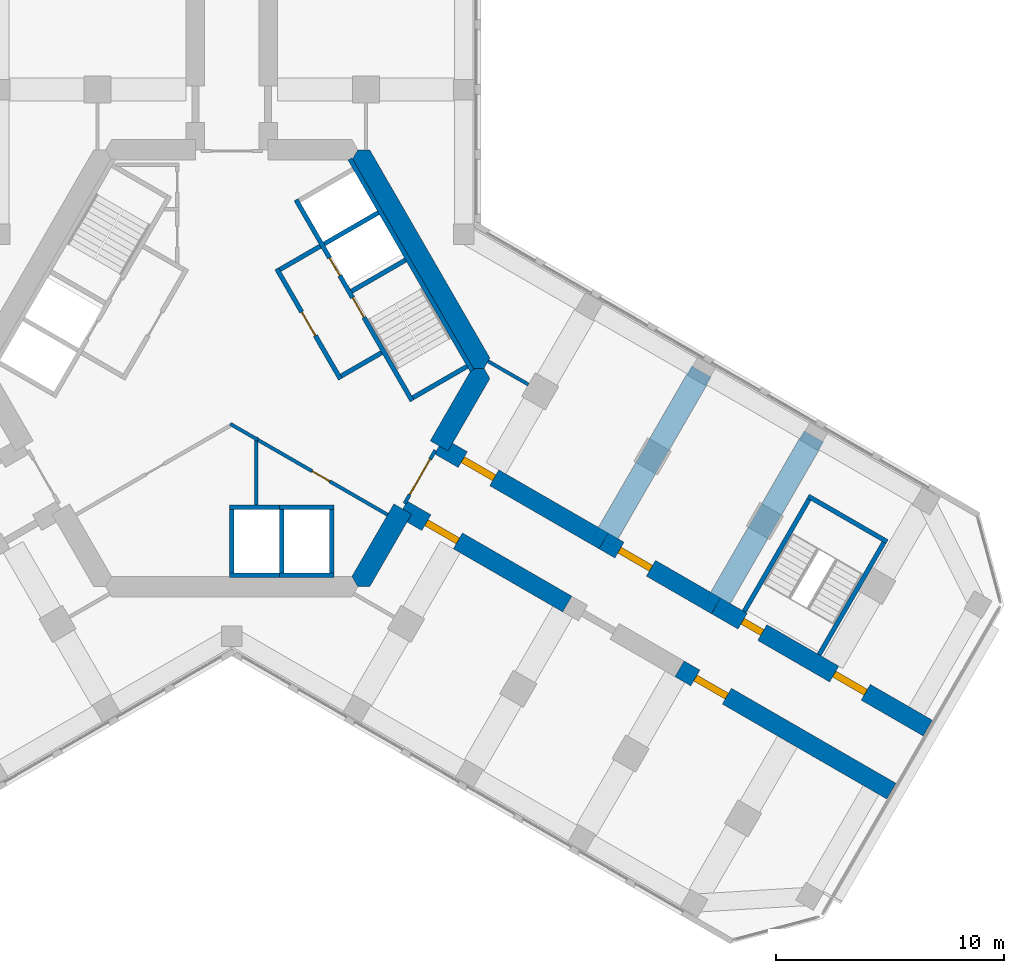
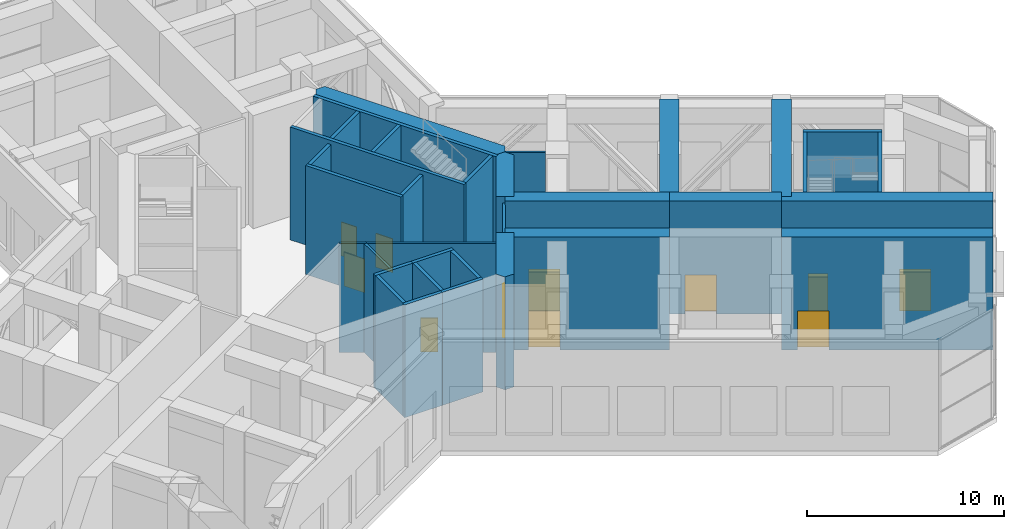
# One storey, part 12 of 15: 33 walls, 11 doors, 11 openings.
"""IFC4 building model written with IfcOpenShell, lengths in metres."""

import ifcopenshell
import ifcopenshell.guid

model = None  # the IFC model being written
_history = None  # IfcOwnerHistory: only IFC2X3 demands one
_inside = {}  # id of a spatial element -> (the spatial element, [elements in it])
_under = {}  # id of a project, library or spatial element -> (it, [spatial elements below it])
_declared = {}  # id of a project -> (the project, [libraries it declares])
_typed = {}  # id of a type object -> (the type object, [elements of that type])
_made_of = {}  # id of a material, layer set ... -> (it, [elements and type objects made of it])


def new_model(schema):
    """Start an empty IFC model of exactly this schema.

    Asked for "IFC4X3", IfcOpenShell would pick the latest addendum, in which some entities
    have other attributes; the version numbers below select the first issue.
    IFC2X3 requires an IfcOwnerHistory on every rooted entity: one is made here for all.
    """
    global model, _history
    if schema == "IFC4X3":
        model = ifcopenshell.file(schema_version=(4, 3, 0, 0))
    else:
        model = ifcopenshell.file(schema=schema)
    _inside.clear()
    _under.clear()
    _declared.clear()
    _typed.clear()
    _made_of.clear()
    _history = None
    if model.schema == "IFC2X3":
        org = make("IfcOrganization", Name="unknown")
        user = make(
            "IfcPersonAndOrganization",
            ThePerson=make("IfcPerson", FamilyName="unknown"),
            TheOrganization=org,
        )
        app = make(
            "IfcApplication",
            ApplicationDeveloper=org,
            Version="unknown",
            ApplicationFullName="unknown",
            ApplicationIdentifier="unknown",
        )
        _history = make(
            "IfcOwnerHistory",
            OwningUser=user,
            OwningApplication=app,
            ChangeAction="ADDED",
            CreationDate=0,
        )
    return model


def make(cls, **values):
    """One entity of the class cls with the attributes given. An attribute that is None is left unset."""
    return model.create_entity(
        cls, **{name: value for name, value in values.items() if value is not None}
    )


def rooted(cls, **values):
    """An entity with a GlobalId (a new one), such as an element, a storey or a relation."""
    return make(cls, GlobalId=ifcopenshell.guid.new(), OwnerHistory=_history, **values)


def si_unit(unit_type, name, prefix=None):
    """IfcSIUnit, for example si_unit("LENGTHUNIT", "METRE", prefix="MILLI")."""
    return make("IfcSIUnit", UnitType=unit_type, Prefix=prefix, Name=name)


def assignment(units):
    """IfcUnitAssignment: the units of a project."""
    return None if units is None else make("IfcUnitAssignment", Units=units)


def point(xyz):
    """IfcCartesianPoint."""
    return None if xyz is None else make("IfcCartesianPoint", Coordinates=xyz)


def direction(xyz):
    """IfcDirection."""
    return None if xyz is None else make("IfcDirection", DirectionRatios=xyz)


def frame(location, z_axis=None, x_axis=None):
    """IfcAxis2Placement3D, a coordinate frame: its origin and axes. An axis left out is left unset."""
    return make(
        "IfcAxis2Placement3D",
        Location=point(location),
        Axis=direction(z_axis),
        RefDirection=direction(x_axis),
    )


def frame_2d(location, x_axis=None):
    """IfcAxis2Placement2D, a coordinate frame in the plane: its origin and x axis."""
    return make(
        "IfcAxis2Placement2D", Location=point(location), RefDirection=direction(x_axis)
    )


def origin():
    """The frame at (0, 0, 0) with its axes left unset."""
    return frame((0.0, 0.0, 0.0))


def place(relative_to, where):
    """IfcLocalPlacement: puts the frame where relative to a parent placement (None: the world)."""
    return make(
        "IfcLocalPlacement", PlacementRelTo=relative_to, RelativePlacement=where
    )


def context(
    kind, dimensions, precision=None, world=None, true_north=None, identifier=None
):
    """IfcGeometricRepresentationContext, for example the 3D "Model" context."""
    return make(
        "IfcGeometricRepresentationContext",
        ContextIdentifier=identifier,
        ContextType=kind,
        CoordinateSpaceDimension=dimensions,
        Precision=precision,
        WorldCoordinateSystem=world,
        TrueNorth=true_north,
    )


def subcontext(parent, identifier, kind, view, scale=None):
    """IfcGeometricRepresentationSubContext, for example "Body" below "Model"."""
    return make(
        "IfcGeometricRepresentationSubContext",
        ContextIdentifier=identifier,
        ContextType=kind,
        ParentContext=parent,
        TargetScale=scale,
        TargetView=view,
    )


def project(units=None, contexts=None):
    """IfcProject with its units and contexts."""
    return rooted(
        "IfcProject",
        Name="project",
        RepresentationContexts=contexts,
        UnitsInContext=assignment(units),
    )


def spatial(cls, under=None, at=None, **own):
    """A site, building, storey or space (cls), placed at a placement, below another one or the project."""
    s = rooted(cls, ObjectPlacement=at, **own)
    if under is not None:
        _under.setdefault(under.id(), (under, []))[1].append(s)
    return s


def polyline(points):
    """IfcPolyline through the points."""
    return make("IfcPolyline", Points=[point(p) for p in points])


def profile(cls, at=None, kind="AREA", **sizes):
    """A parametric profile (cls). Its sizes go by their IFC names, for example OverallWidth=200.0."""
    return make(cls, ProfileType=kind, Position=at, **sizes)


def rectangle(**sizes):
    """IfcRectangleProfileDef."""
    return profile("IfcRectangleProfileDef", **sizes)


def outline(outer, holes=None, kind="AREA"):
    """IfcArbitraryClosedProfileDef: a profile drawn as a closed curve; with holes, ...WithVoids."""
    if holes is None:
        return make("IfcArbitraryClosedProfileDef", ProfileType=kind, OuterCurve=outer)
    return make(
        "IfcArbitraryProfileDefWithVoids",
        ProfileType=kind,
        OuterCurve=outer,
        InnerCurves=holes,
    )


def extrude(swept, where, along, depth):
    """IfcExtrudedAreaSolid: the profile swept, set in the frame where, extruded along a direction by depth."""
    return make(
        "IfcExtrudedAreaSolid",
        SweptArea=swept,
        Position=where,
        ExtrudedDirection=direction(along),
        Depth=depth,
    )


def shape(context_of_items, identifier, shape_type, items):
    """IfcShapeRepresentation: the items that make up one representation, for example the "Body"."""
    return make(
        "IfcShapeRepresentation",
        ContextOfItems=context_of_items,
        RepresentationIdentifier=identifier,
        RepresentationType=shape_type,
        Items=items,
    )


def material(Name=None, Category=None):
    """IfcMaterial."""
    return make("IfcMaterial", Name=Name, Category=Category)


def layer(
    of_material, thickness, ventilated=None, Name=None, Category=None, Priority=None
):
    """IfcMaterialLayer: one layer of a wall or slab, of a material (None: an air gap)."""
    return make(
        "IfcMaterialLayer",
        Material=of_material,
        LayerThickness=thickness,
        IsVentilated=ventilated,
        Name=Name,
        Category=Category,
        Priority=Priority,
    )


def layer_set(layers, Name=None):
    """IfcMaterialLayerSet."""
    return make("IfcMaterialLayerSet", MaterialLayers=layers, LayerSetName=Name)


def made_of(thing, what):
    """Note that an element or type object is made of a material, layer set ...; save() writes the relation."""
    if what is not None:
        _made_of.setdefault(what.id(), (what, []))[1].append(thing)
    return thing


def type_object(cls, material=None, **own):
    """A type object (cls), such as IfcWallType, which elements share."""
    return made_of(rooted(cls, **own), material)


def element(
    cls,
    number,
    at=None,
    inside=None,
    cuts=None,
    type_object=None,
    material=None,
    context=None,
    identifier="Body",
    shape_type=None,
    held_by="IfcProductDefinitionShape",
    body=None,
    shapes=None,
    **own,
):
    """One element of the class cls, such as IfcWall. Its Tag is "e" and its number.

    at: its placement. inside: the storey or other place that contains it. cuts: it is an
    opening in that element (IfcRelVoidsElement). A single representation is given by context,
    identifier, shape_type and body (its items); several are given by shapes. held_by: the class
    of the entity that holds the representations. save() writes the other relations.
    """
    e = rooted(cls, Tag="e%d" % number, ObjectPlacement=at, **own)
    if body is not None:
        shapes = [shape(context, identifier, shape_type, body)]
    if shapes is not None:
        e.Representation = make(held_by, Representations=shapes)
    if inside is not None:
        _inside.setdefault(inside.id(), (inside, []))[1].append(e)
    if cuts is not None:
        rooted(
            "IfcRelVoidsElement", RelatingBuildingElement=cuts, RelatedOpeningElement=e
        )
    if type_object is not None:
        _typed.setdefault(type_object.id(), (type_object, []))[1].append(e)
    return made_of(e, material)


def fill(opening, filler):
    """IfcRelFillsElement: the door or window that sits in an opening."""
    return rooted(
        "IfcRelFillsElement",
        RelatingOpeningElement=opening,
        RelatedBuildingElement=filler,
    )


def aggregate(whole, parts):
    """IfcRelAggregates: a whole, such as a stair, and the parts it consists of."""
    return rooted("IfcRelAggregates", RelatingObject=whole, RelatedObjects=parts)


def save(model, path):
    """Write the relations noted so far, then the file.

    IfcRelAggregates (storeys below a building ...), IfcRelContainedInSpatialStructure (elements
    in a storey), IfcRelDefinesByType, IfcRelAssociatesMaterial and IfcRelDeclares: one each for
    every whole, place, type object, material and project.
    """
    for whole, parts in _under.values():
        aggregate(whole, parts)
    for where, things in _inside.values():
        rooted(
            "IfcRelContainedInSpatialStructure",
            RelatedElements=things,
            RelatingStructure=where,
        )
    for kind, things in _typed.values():
        rooted("IfcRelDefinesByType", RelatedObjects=things, RelatingType=kind)
    for what, things in _made_of.values():
        rooted("IfcRelAssociatesMaterial", RelatedObjects=things, RelatingMaterial=what)
    for by, libraries in _declared.values():
        rooted("IfcRelDeclares", RelatingContext=by, RelatedDefinitions=libraries)
    model.write(path)


model = new_model("IFC4")

# Units and contexts
model_context = context("Model", 3, precision=1e-05, world=origin(), true_north=direction((0.0, 1.0)))
body_context = subcontext(model_context, "Body", "Model", "MODEL_VIEW")
ifc_project = project(units=[si_unit("LENGTHUNIT", "METRE"), si_unit("AREAUNIT", "SQUARE_METRE"), si_unit("VOLUMEUNIT", "CUBIC_METRE"), si_unit("PLANEANGLEUNIT", "RADIAN"), si_unit("MASSUNIT", "GRAM", prefix="KILO")], contexts=[model_context])

# Site, building, storey
site_placement = place(None, origin())
site = spatial("IfcSite", under=ifc_project, at=site_placement, CompositionType="ELEMENT")
building_placement = place(site_placement, origin())
building = spatial("IfcBuilding", under=site, at=building_placement, Name="Kosmar Iwan School Tower", CompositionType="ELEMENT")
storey_placement = place(building_placement, frame((0.0, 0.0, 186.800048828125)))
storey = spatial("IfcBuildingStorey", under=building, at=storey_placement, Name="L47", CompositionType="ELEMENT", Elevation=186.800048828125)

# Wall
ifc_material_1 = material(Name="Gypsum board on steel studs, fire-rated", Category="steel")
ifc_layer_1 = layer(ifc_material_1, 0.14990234375)
ifc_layer_set_1 = layer_set([ifc_layer_1], Name="Core room partition 150")
wall_type_1 = type_object("IfcWallType", Name="Core room partition 150", PredefinedType="PARTITIONING", material=ifc_layer_set_1)
wall_1_placement = place(storey_placement, frame((1.08056640625, -6.0048828125, 0.0), z_axis=(0.0, 0.0, 1.0), x_axis=(0.0, 1.0, 0.0)))
element("IfcWall", 1, at=wall_1_placement, inside=storey, type_object=wall_type_1, Name="Core room partition L47-CW5", PredefinedType="PARTITIONING", context=body_context, shape_type="SweptSolid", body=[
    extrude(rectangle(XDim=2.973388671875, YDim=0.14990234375, at=frame_2d((1.48681640625, 0.0))), origin(), (0.0, 0.0, 1.0), 6.75),
])

# Wall, opening, door
wall_2_placement = place(storey_placement, frame((1.015625, -3.069091796875, 0.0), z_axis=(0.0, 0.0, 1.0), x_axis=(0.86603480754, -0.499983711864, 0.0)))
wall_2 = element("IfcWall", 2, at=wall_2_placement, inside=storey, type_object=wall_type_1, Name="Core room partition L47-CW6", PredefinedType="PARTITIONING", context=body_context, shape_type="SweptSolid", body=[
    extrude(rectangle(XDim=6.740966796875, YDim=0.14990234375, at=frame_2d((3.37060546875, 0.0))), origin(), (0.0, 0.0, 1.0), 6.75),
])
opening_1_placement = place(wall_2_placement, frame((2.89990234375, 0.0, 0.0)))
opening_1 = element("IfcOpeningElement", 3, at=opening_1_placement, cuts=wall_2, Name="Opening D14", PredefinedType="OPENING", context=body_context, shape_type="SweptSolid", body=[
    extrude(rectangle(XDim=0.89990234375, YDim=2.10009765625, at=frame_2d((0.449951171875, 1.050048828125))), frame((0.0, 0.0869140625, 0.0), z_axis=(0.0, -1.0, 0.0), x_axis=(1.0, 0.0, 0.0)), (0.0, 0.0, 1.0), 0.173828125),
])
ifc_material_2 = material(Name="Timber fire door in steel frame", Category="steel")
door_type_1 = type_object("IfcDoorType", Name="Core room door 900x2100", OperationType="SINGLE_SWING_LEFT", PredefinedType="DOOR", material=ifc_material_2)
door_1_placement = place(opening_1_placement, origin())
door_1 = element("IfcDoor", 4, at=door_1_placement, inside=storey, type_object=door_type_1, Name="Plant control room door L47 3", OperationType="SINGLE_SWING_LEFT", OverallHeight=2.10009765625, OverallWidth=0.89990234375, PredefinedType="DOOR", context=body_context, shape_type="SweptSolid", body=[
    extrude(rectangle(XDim=0.89990234375, YDim=2.10009765625, at=frame_2d((0.449951171875, 1.050048828125))), frame((0.0, 0.02490234375, 0.0), z_axis=(0.0, -1.0, 0.0), x_axis=(1.0, 0.0, 0.0)), (0.0, 0.0, 1.0), 0.050048828125),
])
fill(opening_1, door_1)

# Walls
wall_3_placement = place(storey_placement, frame((-0.06494140625, -2.445068359375, 0.0), z_axis=(0.0, 0.0, 1.0), x_axis=(0.865987784571, -0.500065152728, 0.0)))
element("IfcWall", 5, at=wall_3_placement, inside=storey, type_object=wall_type_1, Name="Core room partition L47-CW8", PredefinedType="PARTITIONING", context=body_context, shape_type="SweptSolid", body=[
    extrude(rectangle(XDim=1.397705078125, YDim=0.14990234375, at=frame_2d((0.69873046875, 0.0))), origin(), (0.0, 0.0, 1.0), 6.75),
])
ifc_material_3 = material(Name="Concrete C50/60", Category="concrete")
ifc_layer_2 = layer(ifc_material_3, 0.89990234375)
ifc_layer_set_2 = layer_set([ifc_layer_2], Name="Core wall 900")
wall_type_2 = type_object("IfcWallType", Name="Core wall 900", PredefinedType="SHEAR", material=ifc_layer_set_2)
wall_4_placement = place(storey_placement, origin())
element("IfcWall", 6, at=wall_4_placement, inside=storey, type_object=wall_type_2, Name="Core wall F030", PredefinedType="SHEAR", context=body_context, shape_type="SweptSolid", body=[
    extrude(outline(polyline([(10.5654296875, 0.0), (11.085205078125, 0.0), (11.344970703125, 0.449951171875), (6.062255859375, 9.60009765625), (5.54248046875, 9.60009765625), (5.28271484375, 9.14990234375), (10.5654296875, 0.0)])), origin(), (0.0, 0.0, 1.0), 7.0),
])
wall_5_placement = place(storey_placement, origin())
element("IfcWall", 7, at=wall_5_placement, inside=storey, type_object=wall_type_2, Name="Core wall F330a", PredefinedType="SHEAR", context=body_context, shape_type="SweptSolid", body=[
    extrude(outline(polyline([(5.54248046875, -9.60009765625), (6.062255859375, -9.60009765625), (7.903564453125, -6.41064453125), (7.1240234375, -5.960693359375), (5.28271484375, -9.14990234375), (5.54248046875, -9.60009765625)])), origin(), (0.0, 0.0, 1.0), 7.0),
])
wall_6_placement = place(storey_placement, origin())
element("IfcWall", 8, at=wall_6_placement, inside=storey, type_object=wall_type_2, Name="Core wall F330b", PredefinedType="SHEAR", context=body_context, shape_type="SweptSolid", body=[
    extrude(outline(polyline([(9.503662109375, -3.639404296875), (11.344970703125, -0.449951171875), (11.085205078125, 0.0), (10.5654296875, 0.0), (8.72412109375, -3.189453125), (9.503662109375, -3.639404296875)])), origin(), (0.0, 0.0, 1.0), 7.0),
])

# Wall, opening, door
ifc_material_4 = material(Name="Concrete C50/60", Category="concrete")
ifc_layer_3 = layer(ifc_material_4, 0.800048828125)
ifc_layer_set_3 = layer_set([ifc_layer_3], Name="Corridor buttress wall 800")
wall_type_3 = type_object("IfcWallType", Name="Corridor buttress wall 800", PredefinedType="SHEAR", material=ifc_layer_set_3)
wall_7_placement = place(storey_placement, frame((9.11376953125, -3.414306640625, 0.0), z_axis=(0.0, 0.0, 1.0), x_axis=(0.866026859388, -0.499997478812, 0.0)))
wall_7 = element("IfcWall", 9, at=wall_7_placement, inside=storey, type_object=wall_type_3, Name="Corridor wall CL", PredefinedType="SHEAR", context=body_context, shape_type="SweptSolid", body=[
    extrude(rectangle(XDim=8.35009765625, YDim=0.800048828125, at=frame_2d((4.175048828125, 0.0))), origin(), (0.0, 0.0, 1.0), 7.0),
])
opening_2_placement = place(wall_7_placement, frame((1.199951171875, 0.0, 0.0)))
opening_2 = element("IfcOpeningElement", 10, at=opening_2_placement, cuts=wall_7, Name="Opening D5", PredefinedType="OPENING", context=body_context, shape_type="SweptSolid", body=[
    extrude(rectangle(XDim=1.60009765625, YDim=2.39990234375, at=frame_2d((0.800048828125, 1.199951171875))), frame((0.0, 0.412109375, 0.0), z_axis=(0.0, -1.0, 0.0), x_axis=(1.0, 0.0, 0.0)), (0.0, 0.0, 1.0), 0.823974609375),
])
ifc_material_5 = material(Name="Steel fire door", Category="steel")
door_type_2 = type_object("IfcDoorType", Name="Plant room door pair 1600x2400", OperationType="DOUBLE_DOOR_SINGLE_SWING", PredefinedType="DOOR", material=ifc_material_5)
door_2_placement = place(opening_2_placement, origin())
door_2 = element("IfcDoor", 11, at=door_2_placement, inside=storey, type_object=door_type_2, Name="Refuge area door L47-CL1", OperationType="DOUBLE_DOOR_SINGLE_SWING", OverallHeight=2.39990234375, OverallWidth=1.60009765625, PredefinedType="DOOR", context=body_context, shape_type="SweptSolid", body=[
    extrude(rectangle(XDim=1.60009765625, YDim=2.39990234375, at=frame_2d((0.800048828125, 1.199951171875))), frame((0.0, 0.14990234375, 0.0), z_axis=(0.0, -1.0, 0.0), x_axis=(1.0, 0.0, 0.0)), (0.0, 0.0, 1.0), 0.300048828125),
])
fill(opening_2, door_2)

wall_8_placement = place(storey_placement, frame((16.34521484375, -7.58935546875, 0.0), z_axis=(0.0, 0.0, 1.0), x_axis=(0.866015111908, -0.50001782563, 0.0)))
wall_8 = element("IfcWall", 12, at=wall_8_placement, inside=storey, type_object=wall_type_3, Name="Corridor wall CL bay 2", PredefinedType="SHEAR", context=body_context, shape_type="SweptSolid", body=[
    extrude(rectangle(XDim=5.699951171875, YDim=0.800048828125, at=frame_2d((2.85009765625, 0.0))), origin(), (0.0, 0.0, 1.0), 7.0),
])
opening_3_placement = place(wall_8_placement, frame((0.800048828125, 0.0, 0.0)))
opening_3 = element("IfcOpeningElement", 13, at=opening_3_placement, cuts=wall_8, Name="Opening D5", PredefinedType="OPENING", context=body_context, shape_type="SweptSolid", body=[
    extrude(rectangle(XDim=1.60009765625, YDim=2.39990234375, at=frame_2d((0.800048828125, 1.199951171875))), frame((0.0, 0.412109375, 0.0), z_axis=(0.0, -1.0, 0.0), x_axis=(1.0, 0.0, 0.0)), (0.0, 0.0, 1.0), 0.823974609375),
])
door_3_placement = place(opening_3_placement, origin())
door_3 = element("IfcDoor", 14, at=door_3_placement, inside=storey, type_object=door_type_2, Name="Air handling plant room door L47-CL2", OperationType="DOUBLE_DOOR_SINGLE_SWING", OverallHeight=2.39990234375, OverallWidth=1.60009765625, PredefinedType="DOOR", context=body_context, shape_type="SweptSolid", body=[
    extrude(rectangle(XDim=1.60009765625, YDim=2.39990234375, at=frame_2d((0.800048828125, 1.199951171875))), frame((0.0, 0.14990234375, 0.0), z_axis=(0.0, -1.0, 0.0), x_axis=(1.0, 0.0, 0.0)), (0.0, 0.0, 1.0), 0.300048828125),
])
fill(opening_3, door_3)

# Wall, openings, doors
wall_9_placement = place(storey_placement, frame((21.281494140625, -10.439453125, 0.0), z_axis=(0.0, 0.0, 1.0), x_axis=(0.866032345022, -0.499987977232, 0.0)))
wall_9 = element("IfcWall", 15, at=wall_9_placement, inside=storey, type_object=wall_type_3, Name="Corridor wall CL bay 3", PredefinedType="SHEAR", context=body_context, shape_type="SweptSolid", body=[
    extrude(rectangle(XDim=10.744873046875, YDim=0.800048828125, at=frame_2d((5.37255859375, 0.0))), origin(), (0.0, 0.0, 1.0), 7.0),
])
opening_4_placement = place(wall_9_placement, frame((6.0, 0.0, 0.0)))
opening_4 = element("IfcOpeningElement", 16, at=opening_4_placement, cuts=wall_9, Name="Opening D5", PredefinedType="OPENING", context=body_context, shape_type="SweptSolid", body=[
    extrude(rectangle(XDim=1.60009765625, YDim=2.39990234375, at=frame_2d((0.800048828125, 1.199951171875))), frame((0.0, 0.412109375, 0.0), z_axis=(0.0, -1.0, 0.0), x_axis=(1.0, 0.0, 0.0)), (0.0, 0.0, 1.0), 0.823974609375),
])
opening_5_placement = place(wall_9_placement, frame((1.35009765625, 0.0, 0.0)))
opening_5 = element("IfcOpeningElement", 17, at=opening_5_placement, cuts=wall_9, Name="Opening D6", PredefinedType="OPENING", context=body_context, shape_type="SweptSolid", body=[
    extrude(rectangle(XDim=1.0, YDim=2.10009765625, at=frame_2d((0.5, 1.050048828125))), frame((0.0, 0.412109375, 0.0), z_axis=(0.0, -1.0, 0.0), x_axis=(1.0, 0.0, 0.0)), (0.0, 0.0, 1.0), 0.823974609375),
])
door_4_placement = place(opening_4_placement, origin())
door_4 = element("IfcDoor", 18, at=door_4_placement, inside=storey, type_object=door_type_2, Name="Electrical switch room door L47-CL3", OperationType="DOUBLE_DOOR_SINGLE_SWING", OverallHeight=2.39990234375, OverallWidth=1.60009765625, PredefinedType="DOOR", context=body_context, shape_type="SweptSolid", body=[
    extrude(rectangle(XDim=1.60009765625, YDim=2.39990234375, at=frame_2d((0.800048828125, 1.199951171875))), frame((0.0, 0.14990234375, 0.0), z_axis=(0.0, -1.0, 0.0), x_axis=(1.0, 0.0, 0.0)), (0.0, 0.0, 1.0), 0.300048828125),
])
fill(opening_4, door_4)
ifc_material_6 = material(Name="Steel fire door", Category="steel")
door_type_3 = type_object("IfcDoorType", Name="Stair door 1000x2100", OperationType="SINGLE_SWING_LEFT", PredefinedType="DOOR", material=ifc_material_6)
door_5_placement = place(opening_5_placement, origin())
door_5 = element("IfcDoor", 19, at=door_5_placement, inside=storey, type_object=door_type_3, Name="Stair WS3 door L47", OperationType="SINGLE_SWING_LEFT", OverallHeight=2.10009765625, OverallWidth=1.0, PredefinedType="DOOR", context=body_context, shape_type="SweptSolid", body=[
    extrude(rectangle(XDim=1.0, YDim=2.10009765625, at=frame_2d((0.5, 1.050048828125))), frame((0.0, 0.14990234375, 0.0), z_axis=(0.0, -1.0, 0.0), x_axis=(1.0, 0.0, 0.0)), (0.0, 0.0, 1.0), 0.300048828125),
])
fill(opening_5, door_5)

# Wall, opening, door
wall_10_placement = place(storey_placement, frame((7.513916015625, -6.185546875, 0.0), z_axis=(0.0, 0.0, 1.0), x_axis=(0.866019549707, -0.500010139422, 0.0)))
wall_10 = element("IfcWall", 20, at=wall_10_placement, inside=storey, type_object=wall_type_3, Name="Corridor wall CR", PredefinedType="SHEAR", context=body_context, shape_type="SweptSolid", body=[
    extrude(rectangle(XDim=8.349853515625, YDim=0.800048828125, at=frame_2d((4.1748046875, 0.0))), origin(), (0.0, 0.0, 1.0), 7.0),
])
opening_6_placement = place(wall_10_placement, frame((1.199951171875, 0.0, 0.0)))
opening_6 = element("IfcOpeningElement", 21, at=opening_6_placement, cuts=wall_10, Name="Opening D5", PredefinedType="OPENING", context=body_context, shape_type="SweptSolid", body=[
    extrude(rectangle(XDim=1.60009765625, YDim=2.39990234375, at=frame_2d((0.800048828125, 1.199951171875))), frame((0.0, 0.412109375, 0.0), z_axis=(0.0, -1.0, 0.0), x_axis=(1.0, 0.0, 0.0)), (0.0, 0.0, 1.0), 0.823974609375),
])
door_6_placement = place(opening_6_placement, origin())
door_6 = element("IfcDoor", 22, at=door_6_placement, inside=storey, type_object=door_type_2, Name="Refuge area door L47-CR1", OperationType="DOUBLE_DOOR_SINGLE_SWING", OverallHeight=2.39990234375, OverallWidth=1.60009765625, PredefinedType="DOOR", context=body_context, shape_type="SweptSolid", body=[
    extrude(rectangle(XDim=1.60009765625, YDim=2.39990234375, at=frame_2d((0.800048828125, 1.199951171875))), frame((0.0, 0.14990234375, 0.0), z_axis=(0.0, -1.0, 0.0), x_axis=(1.0, 0.0, 0.0)), (0.0, 0.0, 1.0), 0.300048828125),
])
fill(opening_6, door_6)

wall_11_placement = place(storey_placement, frame((19.681396484375, -13.210693359375, 0.0), z_axis=(0.0, 0.0, 1.0), x_axis=(0.866028186671, -0.499995179869, 0.0)))
wall_11 = element("IfcWall", 23, at=wall_11_placement, inside=storey, type_object=wall_type_3, Name="Corridor wall CR bay 3", PredefinedType="SHEAR", context=body_context, shape_type="SweptSolid", body=[
    extrude(rectangle(XDim=10.7451171875, YDim=0.800048828125, at=frame_2d((5.37255859375, 0.0))), origin(), (0.0, 0.0, 1.0), 7.0),
])
opening_7_placement = place(wall_11_placement, frame((0.800048828125, 0.0, 0.0)))
opening_7 = element("IfcOpeningElement", 24, at=opening_7_placement, cuts=wall_11, Name="Opening D5", PredefinedType="OPENING", context=body_context, shape_type="SweptSolid", body=[
    extrude(rectangle(XDim=1.60009765625, YDim=2.39990234375, at=frame_2d((0.800048828125, 1.199951171875))), frame((0.0, 0.412109375, 0.0), z_axis=(0.0, -1.0, 0.0), x_axis=(1.0, 0.0, 0.0)), (0.0, 0.0, 1.0), 0.823974609375),
])
door_7_placement = place(opening_7_placement, origin())
door_7 = element("IfcDoor", 25, at=door_7_placement, inside=storey, type_object=door_type_2, Name="Electrical switch room door L47-CR3", OperationType="DOUBLE_DOOR_SINGLE_SWING", OverallHeight=2.39990234375, OverallWidth=1.60009765625, PredefinedType="DOOR", context=body_context, shape_type="SweptSolid", body=[
    extrude(rectangle(XDim=1.60009765625, YDim=2.39990234375, at=frame_2d((0.800048828125, 1.199951171875))), frame((0.0, 0.14990234375, 0.0), z_axis=(0.0, -1.0, 0.0), x_axis=(1.0, 0.0, 0.0)), (0.0, 0.0, 1.0), 0.300048828125),
])
fill(opening_7, door_7)

ifc_material_7 = material(Name="Steel framed glazed screen", Category="steel")
ifc_layer_4 = layer(ifc_material_7, 0.14990234375)
ifc_layer_set_4 = layer_set([ifc_layer_4], Name="Corridor screen wall 150")
wall_type_4 = type_object("IfcWallType", Name="Corridor screen wall 150", PredefinedType="PARTITIONING", material=ifc_layer_set_4)
wall_12_placement = place(storey_placement, frame((7.595458984375, -5.944091796875, 0.0), z_axis=(0.0, 0.0, 1.0), x_axis=(0.500048589285, 0.86599734893, 0.0)))
wall_12 = element("IfcWall", 26, at=wall_12_placement, inside=storey, type_object=wall_type_4, Name="Corridor screen C L47", PredefinedType="PARTITIONING", context=body_context, shape_type="SweptSolid", body=[
    extrude(rectangle(XDim=2.699951171875, YDim=0.14990234375, at=frame_2d((1.35009765625, 0.0))), origin(), (0.0, 0.0, 1.0), 6.75),
])
opening_8_placement = place(wall_12_placement, frame((0.449951171875, 0.0, 0.0)))
opening_8 = element("IfcOpeningElement", 27, at=opening_8_placement, cuts=wall_12, Name="Opening D9", PredefinedType="OPENING", context=body_context, shape_type="SweptSolid", body=[
    extrude(rectangle(XDim=1.800048828125, YDim=2.10009765625, at=frame_2d((0.89990234375, 1.050048828125))), frame((0.0, 0.0869140625, 0.0), z_axis=(0.0, -1.0, 0.0), x_axis=(1.0, 0.0, 0.0)), (0.0, 0.0, 1.0), 0.173828125),
])
ifc_material_8 = material(Name="Steel framed glazed smoke door", Category="steel")
door_type_4 = type_object("IfcDoorType", Name="Corridor smoke door pair 1800x2100", OperationType="DOUBLE_DOOR_DOUBLE_SWING", PredefinedType="DOOR", material=ifc_material_8)
door_8_placement = place(opening_8_placement, origin())
door_8 = element("IfcDoor", 28, at=door_8_placement, inside=storey, type_object=door_type_4, Name="Corridor doors C L47", OperationType="DOUBLE_DOOR_DOUBLE_SWING", OverallHeight=2.10009765625, OverallWidth=1.800048828125, PredefinedType="DOOR", context=body_context, shape_type="SweptSolid", body=[
    extrude(rectangle(XDim=1.800048828125, YDim=2.10009765625, at=frame_2d((0.89990234375, 1.050048828125))), frame((0.0, 0.02490234375, 0.0), z_axis=(0.0, -1.0, 0.0), x_axis=(1.0, 0.0, 0.0)), (0.0, 0.0, 1.0), 0.050048828125),
])
fill(opening_8, door_8)

# Walls
ifc_material_9 = material(Name="Concrete C35/45", Category="concrete")
ifc_layer_5 = layer(ifc_material_9, 0.199951171875)
ifc_layer_set_5 = layer_set([ifc_layer_5], Name="Escape stair wall 200")
wall_type_5 = type_object("IfcWallType", Name="Escape stair wall 200", PredefinedType="SHEAR", material=ifc_layer_set_5)
wall_13_placement = place(storey_placement, frame((22.520751953125, -10.69287109375, 0.0), z_axis=(0.0, 0.0, 1.0), x_axis=(0.500006628179, 0.86602157697, 0.0)))
element("IfcWall", 29, at=wall_13_placement, inside=storey, type_object=wall_type_5, Name="Stair WS3 wall", PredefinedType="SHEAR", context=body_context, shape_type="SweptSolid", body=[
    extrude(rectangle(XDim=5.89990234375, YDim=0.199951171875, at=frame_2d((2.949951171875, 0.0))), origin(), (0.0, 0.0, 1.0), 6.72998046875),
])
wall_14_placement = place(storey_placement, frame((25.8115234375, -12.593017578125, 0.0), z_axis=(0.0, 0.0, 1.0), x_axis=(0.500019744199, 0.866014004166, 0.0)))
element("IfcWall", 30, at=wall_14_placement, inside=storey, type_object=wall_type_5, Name="Stair WS3 wall", PredefinedType="SHEAR", context=body_context, shape_type="SweptSolid", body=[
    extrude(rectangle(XDim=5.900146484375, YDim=0.199951171875, at=frame_2d((2.9501953125, 0.0))), origin(), (0.0, 0.0, 1.0), 6.72998046875),
])
wall_15_placement = place(storey_placement, frame((25.334228515625, -5.6201171875, 0.0), z_axis=(0.0, 0.0, 1.0), x_axis=(0.866026010844, -0.49999894854, 0.0)))
element("IfcWall", 31, at=wall_15_placement, inside=storey, type_object=wall_type_5, Name="Stair WS3 wall", PredefinedType="SHEAR", context=body_context, shape_type="SweptSolid", body=[
    extrude(rectangle(XDim=4.0, YDim=0.199951171875, at=frame_2d((2.0, 0.0))), origin(), (0.0, 0.0, 1.0), 6.72998046875),
])

# Wall, opening, door
ifc_material_10 = material(Name="Concrete block masonry", Category="masonry")
ifc_layer_6 = layer(ifc_material_10, 0.199951171875)
ifc_layer_set_6 = layer_set([ifc_layer_6], Name="Fire lobby wall 200")
wall_type_6 = type_object("IfcWallType", Name="Fire lobby wall 200", PredefinedType="PARTITIONING", material=ifc_layer_set_6)
wall_16_placement = place(storey_placement, frame((4.777587890625, -0.474853515625, 0.0), z_axis=(0.0, 0.0, 1.0), x_axis=(-0.500016814911, 0.866015695474, 0.0)))
wall_16 = element("IfcWall", 32, at=wall_16_placement, inside=storey, type_object=wall_type_6, Name="Firefighting lobby wall ST1", PredefinedType="PARTITIONING", context=body_context, shape_type="SweptSolid", body=[
    extrude(rectangle(XDim=5.599853515625, YDim=0.199951171875, at=frame_2d((2.7998046875, 0.0))), origin(), (0.0, 0.0, 1.0), 6.75),
])
opening_9_placement = place(wall_16_placement, frame((2.199951171875, 0.0, 0.0)))
opening_9 = element("IfcOpeningElement", 33, at=opening_9_placement, cuts=wall_16, Name="Opening D7", PredefinedType="OPENING", context=body_context, shape_type="SweptSolid", body=[
    extrude(rectangle(XDim=1.199951171875, YDim=2.10009765625, at=frame_2d((0.60009765625, 1.050048828125))), frame((0.0, 0.112060546875, 0.0), z_axis=(0.0, -1.0, 0.0), x_axis=(1.0, 0.0, 0.0)), (0.0, 0.0, 1.0), 0.223876953125),
])
ifc_material_11 = material(Name="Steel fire door", Category="steel")
door_type_5 = type_object("IfcDoorType", Name="Fire lobby door 1200x2100", OperationType="SINGLE_SWING_LEFT", PredefinedType="DOOR", material=ifc_material_11)
door_9_placement = place(opening_9_placement, origin())
door_9 = element("IfcDoor", 34, at=door_9_placement, inside=storey, type_object=door_type_5, Name="Firefighting lobby door ST1 L47", OperationType="SINGLE_SWING_LEFT", OverallHeight=2.10009765625, OverallWidth=1.199951171875, PredefinedType="DOOR", context=body_context, shape_type="SweptSolid", body=[
    extrude(rectangle(XDim=1.199951171875, YDim=2.10009765625, at=frame_2d((0.60009765625, 1.050048828125))), frame((0.0, 0.02490234375, 0.0), z_axis=(0.0, -1.0, 0.0), x_axis=(1.0, 0.0, 0.0)), (0.0, 0.0, 1.0), 0.050048828125),
])
fill(opening_9, door_9)

# Walls
wall_17_placement = place(storey_placement, frame((4.814208984375, -0.33837890625, 0.0), z_axis=(0.0, 0.0, 1.0), x_axis=(0.865969381856, 0.500097020274, 0.0)))
element("IfcWall", 35, at=wall_17_placement, inside=storey, type_object=wall_type_6, Name="Firefighting lobby wall ST1", PredefinedType="PARTITIONING", context=body_context, shape_type="SweptSolid", body=[
    extrude(rectangle(XDim=2.0498046875, YDim=0.199951171875, at=frame_2d((1.02490234375, 0.0))), origin(), (0.0, 0.0, 1.0), 6.75),
])
wall_18_placement = place(storey_placement, frame((2.114013671875, 4.33837890625, 0.0), z_axis=(0.0, 0.0, 1.0), x_axis=(0.866050731258, 0.499956128963, 0.0)))
element("IfcWall", 36, at=wall_18_placement, inside=storey, type_object=wall_type_6, Name="Firefighting lobby wall ST1", PredefinedType="PARTITIONING", context=body_context, shape_type="SweptSolid", body=[
    extrude(rectangle(XDim=2.050048828125, YDim=0.199951171875, at=frame_2d((1.02490234375, 0.0))), origin(), (0.0, 0.0, 1.0), 6.75),
])

# Wall, openings, doors
ifc_material_12 = material(Name="Concrete C50/60", Category="concrete")
ifc_layer_7 = layer(ifc_material_12, 0.199951171875)
ifc_layer_set_7 = layer_set([ifc_layer_7], Name="Lift shaft wall 200")
wall_type_7 = type_object("IfcWallType", Name="Lift shaft wall 200", PredefinedType="SHEAR", material=ifc_layer_set_7)
wall_19_placement = place(storey_placement, frame((7.926025390625, -1.42822265625, 0.0), z_axis=(0.0, 0.0, 1.0), x_axis=(-0.499998023675, 0.866026544813, 0.0)))
wall_19 = element("IfcWall", 37, at=wall_19_placement, inside=storey, type_object=wall_type_7, Name="Lift and stair front wall AC", PredefinedType="SHEAR", context=body_context, shape_type="SweptSolid", body=[
    extrude(rectangle(XDim=10.19970703125, YDim=0.199951171875, at=frame_2d((5.099853515625, 0.0))), origin(), (0.0, 0.0, 1.0), 7.0),
])
opening_10_placement = place(wall_19_placement, frame((6.35009765625, 0.0, 0.0)))
opening_10 = element("IfcOpeningElement", 38, at=opening_10_placement, cuts=wall_19, Name="Opening LD2", PredefinedType="OPENING", context=body_context, shape_type="SweptSolid", body=[
    extrude(rectangle(XDim=0.89990234375, YDim=2.10009765625, at=frame_2d((0.449951171875, 1.050048828125))), frame((0.0, 0.112060546875, 0.0), z_axis=(0.0, -1.0, 0.0), x_axis=(1.0, 0.0, 0.0)), (0.0, 0.0, 1.0), 0.223876953125),
])
opening_11_placement = place(wall_19_placement, frame((4.22998046875, 0.0, 0.0)))
opening_11 = element("IfcOpeningElement", 39, at=opening_11_placement, cuts=wall_19, Name="Opening D6", PredefinedType="OPENING", context=body_context, shape_type="SweptSolid", body=[
    extrude(rectangle(XDim=1.0, YDim=2.10009765625, at=frame_2d((0.5, 1.050048828125))), frame((0.0, 0.112060546875, 0.0), z_axis=(0.0, -1.0, 0.0), x_axis=(1.0, 0.0, 0.0)), (0.0, 0.0, 1.0), 0.223876953125),
])
ifc_material_13 = material(Name="Stainless steel sliding lift door", Category="steel")
door_type_6 = type_object("IfcDoorType", Name="Firefighting lift landing door 900x2100", OperationType="SLIDING_TO_LEFT", PredefinedType="DOOR", material=ifc_material_13)
door_10_placement = place(opening_10_placement, origin())
door_10 = element("IfcDoor", 40, at=door_10_placement, inside=storey, type_object=door_type_6, Name="Lift FF1 landing door L47", OperationType="SLIDING_TO_LEFT", OverallHeight=2.10009765625, OverallWidth=0.89990234375, PredefinedType="DOOR", context=body_context, shape_type="SweptSolid", body=[
    extrude(rectangle(XDim=0.89990234375, YDim=2.10009765625, at=frame_2d((0.449951171875, 1.050048828125))), frame((0.0, 0.02490234375, 0.0), z_axis=(0.0, -1.0, 0.0), x_axis=(1.0, 0.0, 0.0)), (0.0, 0.0, 1.0), 0.050048828125),
])
fill(opening_10, door_10)
door_11_placement = place(opening_11_placement, origin())
door_11 = element("IfcDoor", 41, at=door_11_placement, inside=storey, type_object=door_type_3, Name="Stair ST1 door L47", OperationType="SINGLE_SWING_LEFT", OverallHeight=2.10009765625, OverallWidth=1.0, PredefinedType="DOOR", context=body_context, shape_type="SweptSolid", body=[
    extrude(rectangle(XDim=1.0, YDim=2.10009765625, at=frame_2d((0.5, 1.050048828125))), frame((0.0, 0.02490234375, 0.0), z_axis=(0.0, -1.0, 0.0), x_axis=(1.0, 0.0, 0.0)), (0.0, 0.0, 1.0), 0.050048828125),
])
fill(opening_11, door_11)

# Walls
wall_20_placement = place(storey_placement, frame((10.5654296875, -0.10009765625, 0.0), z_axis=(0.0, 0.0, 1.0), x_axis=(-0.499999935134, 0.866025441235, 0.0)))
element("IfcWall", 42, at=wall_20_placement, inside=storey, type_object=wall_type_7, Name="Lift and stair back wall AC", PredefinedType="SHEAR", context=body_context, shape_type="SweptSolid", body=[
    extrude(rectangle(XDim=10.73876953125, YDim=0.199951171875, at=frame_2d((5.369384765625, 0.0))), origin(), (0.0, 0.0, 1.0), 7.0),
])
wall_21_placement = place(storey_placement, frame((4.062744140625, 5.46337890625, 0.0), z_axis=(0.0, 0.0, 1.0), x_axis=(0.866027397988, 0.499996545922, 0.0)))
element("IfcWall", 43, at=wall_21_placement, inside=storey, type_object=wall_type_7, Name="Lift shaft wall AC 1", PredefinedType="SHEAR", context=body_context, shape_type="SweptSolid", body=[
    extrude(rectangle(XDim=2.75, YDim=0.199951171875, at=frame_2d((1.375, 0.0))), origin(), (0.0, 0.0, 1.0), 7.0),
])
for number, where, z_axis, x_axis, name in (
    (44, (-0.10009765625, -6.10009765625, 0.0), (0.0, 0.0, 1.0), (1.0, 0.0, 0.0), "Lift and stair front wall BC"),
    (45, (-0.10009765625, -9.10009765625, 0.0), (0.0, 0.0, 1.0), (1.0, 0.0, 0.0), "Lift and stair back wall BC"),
):
    element("IfcWall", number, at=place(storey_placement, frame(where, z_axis=z_axis, x_axis=x_axis)), inside=storey, type_object=wall_type_7, Name=name, PredefinedType="SHEAR", context=body_context, shape_type="SweptSolid", body=[
        extrude(rectangle(XDim=2.2001953125, YDim=0.199951171875, at=frame_2d((1.10009765625, 0.0))), origin(), (0.0, 0.0, 1.0), 7.0),
    ])
for number, where, z_axis, x_axis, name in (
    (46, (2.10009765625, -6.10009765625, 0.0), (0.0, 0.0, 1.0), (1.0, 0.0, 0.0), "Lift and stair front wall BC"),
    (47, (2.10009765625, -9.10009765625, 0.0), (0.0, 0.0, 1.0), (1.0, 0.0, 0.0), "Lift and stair back wall BC"),
):
    element("IfcWall", number, at=place(storey_placement, frame(where, z_axis=z_axis, x_axis=x_axis)), inside=storey, type_object=wall_type_7, Name=name, PredefinedType="SHEAR", context=body_context, shape_type="SweptSolid", body=[
        extrude(rectangle(XDim=2.39990234375, YDim=0.199951171875, at=frame_2d((1.199951171875, 0.0))), origin(), (0.0, 0.0, 1.0), 7.0),
    ])
for number, where, z_axis, x_axis, name in (
    (48, (0.0, -6.199951171875, 0.0), (0.0, 0.0, 1.0), (0.0, -1.0, 0.0), "Lift shaft wall BC 0"),
    (49, (2.199951171875, -6.199951171875, 0.0), (0.0, 0.0, 1.0), (0.0, -1.0, 0.0), "Lift shaft wall BC 1"),
    (50, (4.39990234375, -6.199951171875, 0.0), (0.0, 0.0, 1.0), (0.0, -1.0, 0.0), "Lift shaft wall BC 2"),
):
    element("IfcWall", number, at=place(storey_placement, frame(where, z_axis=z_axis, x_axis=x_axis)), inside=storey, type_object=wall_type_7, Name=name, PredefinedType="SHEAR", context=body_context, shape_type="SweptSolid", body=[
        extrude(rectangle(XDim=2.800048828125, YDim=0.199951171875, at=frame_2d((1.39990234375, 0.0))), origin(), (0.0, 0.0, 1.0), 7.0),
    ])
ifc_material_14 = material(Name="Concrete C50/60", Category="concrete")
ifc_layer_8 = layer(ifc_material_14, 1.0)
ifc_layer_set_8 = layer_set([ifc_layer_8], Name="Outrigger wall 1000")
wall_type_8 = type_object("IfcWallType", Name="Outrigger wall 1000", PredefinedType="SHEAR", material=ifc_layer_set_8)
wall_22_placement = place(storey_placement, frame((16.34521484375, -7.58935546875, 0.0), z_axis=(0.0, 0.0, 1.0), x_axis=(0.500007509209, 0.866021068297, 0.0)))
element("IfcWall", 51, at=wall_22_placement, inside=storey, type_object=wall_type_8, Name="Outrigger wall CL", PredefinedType="SHEAR", context=body_context, shape_type="SweptSolid", body=[
    extrude(rectangle(XDim=8.599853515625, YDim=1.0, at=frame_2d((4.2998046875, 0.0))), origin(), (0.0, 0.0, 1.0), 7.0),
])
wall_23_placement = place(storey_placement, frame((21.281494140625, -10.439453125, 0.0), z_axis=(0.0, 0.0, 1.0), x_axis=(0.499995216735, 0.866028165386, 0.0)))
element("IfcWall", 52, at=wall_23_placement, inside=storey, type_object=wall_type_8, Name="Outrigger wall CL", PredefinedType="SHEAR", context=body_context, shape_type="SweptSolid", body=[
    extrude(rectangle(XDim=8.60009765625, YDim=1.0, at=frame_2d((4.300048828125, 0.0))), origin(), (0.0, 0.0, 1.0), 7.0),
])
ifc_material_15 = material(Name="Gypsum board on steel studs", Category="steel")
ifc_layer_9 = layer(ifc_material_15, 0.14990234375)
ifc_layer_set_9 = layer_set([ifc_layer_9], Name="School partition 150")
wall_type_9 = type_object("IfcWallType", Name="School partition 150", PredefinedType="PARTITIONING", material=ifc_layer_set_9)
wall_24_placement = place(storey_placement, frame((11.263916015625, 0.3095703125, 0.0), z_axis=(0.0, 0.0, 1.0), x_axis=(0.865999163574, -0.500045446624, 0.0)))
element("IfcWall", 53, at=wall_24_placement, inside=storey, type_object=wall_type_9, Name="Partition L47-CL-NB", PredefinedType="PARTITIONING", context=body_context, shape_type="SweptSolid", body=[
    extrude(rectangle(XDim=2.050048828125, YDim=0.14990234375, at=frame_2d((1.02490234375, 0.0))), origin(), (0.0, 0.0, 1.0), 6.75),
])
ifc_material_16 = material(Name="Concrete C50/60", Category="concrete")
ifc_layer_10 = layer(ifc_material_16, 0.199951171875)
ifc_layer_set_10 = layer_set([ifc_layer_10], Name="Stair enclosure wall 200")
wall_type_10 = type_object("IfcWallType", Name="Stair enclosure wall 200", PredefinedType="SHEAR", material=ifc_layer_set_10)
for number, where, z_axis, x_axis, name in (
    (54, (7.962646484375, -1.291748046875, 0.0), (0.0, 0.0, 1.0), (0.866027397988, 0.499996545922, 0.0), "Stair ST1 wall"),
    (55, (5.2626953125, 3.384765625, 0.0), (0.0, 0.0, 1.0), (0.866027397988, 0.499996545922, 0.0), "Stair ST1 wall"),
):
    element("IfcWall", number, at=place(storey_placement, frame(where, z_axis=z_axis, x_axis=x_axis)), inside=storey, type_object=wall_type_10, Name=name, PredefinedType="SHEAR", context=body_context, shape_type="SweptSolid", body=[
        extrude(rectangle(XDim=2.75, YDim=0.199951171875, at=frame_2d((1.375, 0.0))), origin(), (0.0, 0.0, 1.0), 7.0),
    ])

save(model, "model.ifc")
